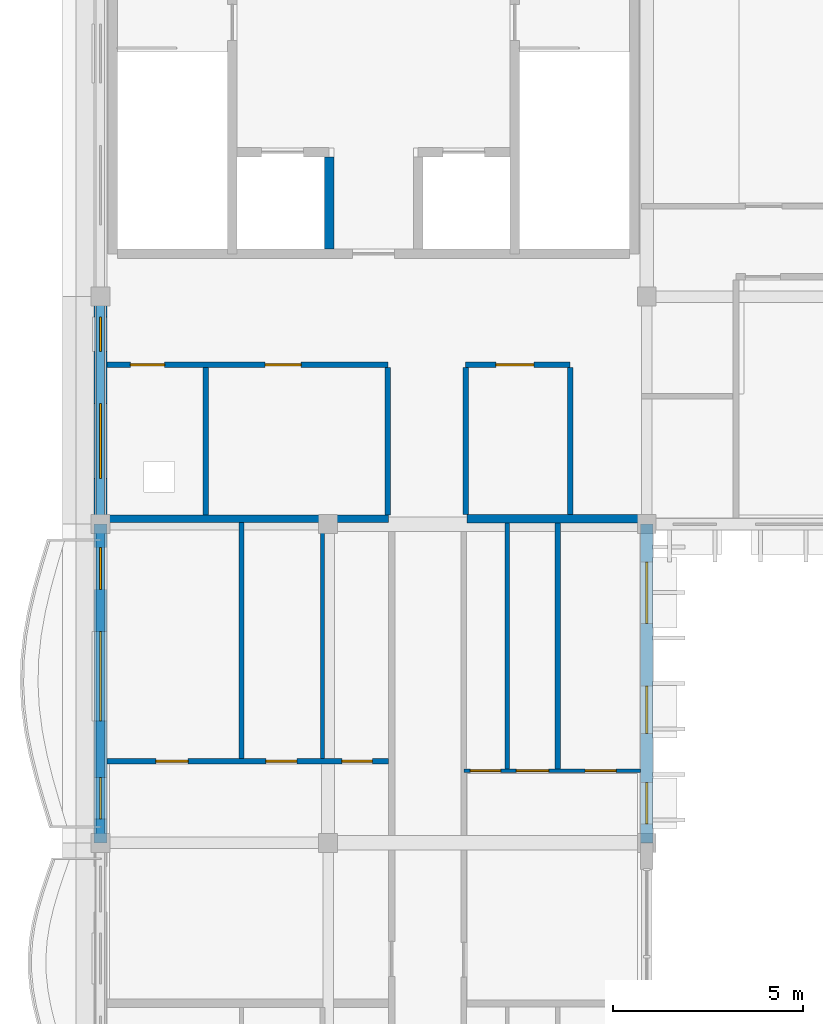
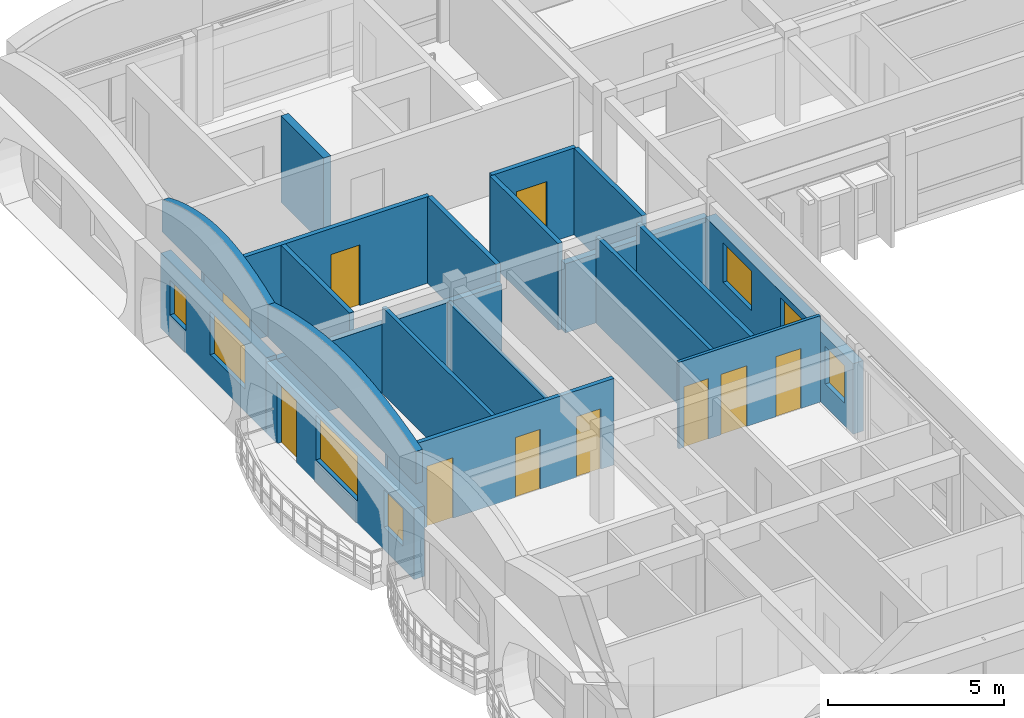
# One storey, part 6 of 12: 20 walls, 10 doors, 7 windows, 17 openings.
"""IFC4 building model written with IfcOpenShell, lengths in metres."""

from ifc_helpers import new_model, si_unit, direction, frame, frame_2d, origin, place, context, subcontext, project, spatial, polyline, rectangle, outline, extrude, material, layer, layer_set, type_object, element, fill, save


model = new_model("IFC4")

# Units and contexts
model_context = context("Model", 3, precision=1e-05, world=origin(), true_north=direction((0.0, 1.0)))
body_context = subcontext(model_context, "Body", "Model", "MODEL_VIEW")
ifc_project = project(units=[si_unit("LENGTHUNIT", "METRE"), si_unit("AREAUNIT", "SQUARE_METRE"), si_unit("VOLUMEUNIT", "CUBIC_METRE"), si_unit("PLANEANGLEUNIT", "RADIAN"), si_unit("MASSUNIT", "GRAM", prefix="KILO"), si_unit("THERMODYNAMICTEMPERATUREUNIT", "KELVIN")], contexts=[model_context])

# Site, building, storey
site_placement = place(None, origin())
site = spatial("IfcSite", under=ifc_project, at=site_placement, CompositionType="ELEMENT")
building_placement = place(site_placement, origin())
building = spatial("IfcBuilding", under=site, at=building_placement, Name="Thalorik Housing Commons", CompositionType="ELEMENT")
storey_placement = place(building_placement, frame((0.0, 0.0, 51.0)))
storey = spatial("IfcBuildingStorey", under=building, at=storey_placement, Name="L15", CompositionType="ELEMENT", Elevation=51.0)

# Wall
ifc_material_1 = material(Name="Concrete C40/50", Category="concrete")
ifc_layer_1 = layer(ifc_material_1, 0.25, Name="Concrete C40/50", Category="concrete")
ifc_layer_set_1 = layer_set([ifc_layer_1], Name="Concrete C40/50")
wall_type_1 = type_object("IfcWallType", Name="ARC-WAL-CORE-250", PredefinedType="SHEAR", material=ifc_layer_set_1)
wall_1_placement = place(storey_placement, frame((14.425048828125, 118.875, 0.0), z_axis=(0.0, 0.0, 1.0), x_axis=(0.0, -1.0, 0.0)))
element("IfcWall", 1, at=wall_1_placement, inside=storey, type_object=wall_type_1, Name="L15 Lift 1 Cheek Wall", PredefinedType="SHEAR", context=body_context, shape_type="SweptSolid", body=[
    extrude(rectangle(XDim=2.425048828125, YDim=0.25, at=frame_2d((1.21240234375, 0.0))), origin(), (0.0, 0.0, 1.0), 3.0),
])

# Wall, openings, windows
ifc_material_2 = material(Name="White precast concrete C40/50", Category="concrete")
ifc_layer_2 = layer(ifc_material_2, 0.3349609375, Name="White precast concrete C40/50", Category="concrete")
ifc_layer_set_2 = layer_set([ifc_layer_2], Name="White precast concrete C40/50")
wall_type_2 = type_object("IfcWallType", Name="ARC-WAL-EXT-335", PredefinedType="STANDARD", material=ifc_layer_set_2)
wall_2_placement = place(storey_placement, frame((8.39990234375, 115.199951171875, 0.0), z_axis=(0.0, 0.0, 1.0), x_axis=(0.0, -1.0, 0.0)))
wall_2 = element("IfcWall", 2, at=wall_2_placement, inside=storey, type_object=wall_type_2, Name="L15 Exterior Wall WAL-EXT-L15-A-0360", PredefinedType="STANDARD", context=body_context, shape_type="SweptSolid", body=[
    extrude(rectangle(XDim=6.0, YDim=0.3349609375, at=frame_2d((3.0, 0.0))), origin(), (0.0, 0.0, 1.0), 2.594970703125),
])
opening_1_placement = place(wall_2_placement, frame((0.544921875, 0.0, 0.780029296875)))
opening_1 = element("IfcOpeningElement", 3, at=opening_1_placement, cuts=wall_2, Name="Opening W-01", PredefinedType="OPENING", context=body_context, shape_type="SweptSolid", body=[
    extrude(rectangle(XDim=0.89990234375, YDim=1.199951171875, at=frame_2d((0.449951171875, 0.60009765625))), frame((0.0, 0.177490234375, 0.0), z_axis=(0.0, -1.0, 0.0), x_axis=(1.0, 0.0, 0.0)), (0.0, 0.0, 1.0), 0.35498046875),
])
opening_2_placement = place(wall_2_placement, frame((2.81494140625, 0.0, 0.780029296875)))
opening_2 = element("IfcOpeningElement", 4, at=opening_2_placement, cuts=wall_2, Name="Opening W-61", PredefinedType="OPENING", context=body_context, shape_type="SweptSolid", body=[
    extrude(rectangle(XDim=1.97998046875, YDim=1.5, at=frame_2d((0.989990234375, 0.75))), frame((0.0, 0.177490234375, 0.0), z_axis=(0.0, -1.0, 0.0), x_axis=(1.0, 0.0, 0.0)), (0.0, 0.0, 1.0), 0.35498046875),
])
ifc_material_3 = material(Name="Anodised aluminium and solar-control low-E glass", Category="aluminium")
window_type_1 = type_object("IfcWindowType", Name="ARC-WIN-01", PartitioningType="SINGLE_PANEL", PredefinedType="WINDOW", material=ifc_material_3)
window_1_placement = place(opening_1_placement, origin())
window_1 = element("IfcWindow", 5, at=window_1_placement, inside=storey, type_object=window_type_1, Name="L15 Facade Window 639", OverallHeight=1.199951171875, OverallWidth=0.89990234375, PartitioningType="SINGLE_PANEL", PredefinedType="WINDOW", context=body_context, shape_type="SweptSolid", body=[
    extrude(rectangle(XDim=0.89990234375, YDim=1.199951171875, at=frame_2d((0.449951171875, 0.60009765625))), frame((0.0, 0.030029296875, 0.0), z_axis=(0.0, -1.0, 0.0), x_axis=(1.0, 0.0, 0.0)), (0.0, 0.0, 1.0), 0.06005859375),
])
fill(opening_1, window_1)
window_type_2 = type_object("IfcWindowType", Name="ARC-WIN-61", PartitioningType="DOUBLE_PANEL_VERTICAL", PredefinedType="WINDOW", material=ifc_material_3)
window_2_placement = place(opening_2_placement, origin())
window_2 = element("IfcWindow", 6, at=window_2_placement, inside=storey, type_object=window_type_2, Name="L15 Facade Window 640", OverallHeight=1.5, OverallWidth=1.97998046875, PartitioningType="DOUBLE_PANEL_VERTICAL", PredefinedType="WINDOW", context=body_context, shape_type="SweptSolid", body=[
    extrude(rectangle(XDim=1.97998046875, YDim=1.5, at=frame_2d((0.989990234375, 0.75))), frame((0.0, 0.030029296875, 0.0), z_axis=(0.0, -1.0, 0.0), x_axis=(1.0, 0.0, 0.0)), (0.0, 0.0, 1.0), 0.06005859375),
])
fill(opening_2, window_2)

# Wall, openings, door, windows
wall_3_placement = place(storey_placement, frame((8.39990234375, 109.199951171875, 0.0), z_axis=(0.0, 0.0, 1.0), x_axis=(0.0, -1.0, 0.0)))
wall_3 = element("IfcWall", 7, at=wall_3_placement, inside=storey, type_object=wall_type_2, Name="L15 Exterior Wall WAL-EXT-L15-A-0361", PredefinedType="STANDARD", context=body_context, shape_type="SweptSolid", body=[
    extrude(rectangle(XDim=8.39990234375, YDim=0.3349609375, at=frame_2d((4.199951171875, 0.0))), origin(), (0.0, 0.0, 1.0), 2.445068359375),
])
opening_3_placement = place(wall_3_placement, frame((0.6201171875, 0.0, 0.0)))
opening_3 = element("IfcOpeningElement", 8, at=opening_3_placement, cuts=wall_3, Name="Opening ED-0113", PredefinedType="OPENING", context=body_context, shape_type="SweptSolid", body=[
    extrude(rectangle(XDim=1.10009765625, YDim=2.14990234375, at=frame_2d((0.550048828125, 1.074951171875))), frame((0.0, 0.177490234375, 0.0), z_axis=(0.0, -1.0, 0.0), x_axis=(1.0, 0.0, 0.0)), (0.0, 0.0, 1.0), 0.35498046875),
])
opening_4_placement = place(wall_3_placement, frame((2.83251953125, 0.0, 0.780029296875)))
opening_4 = element("IfcOpeningElement", 9, at=opening_4_placement, cuts=wall_3, Name="Opening W-33", PredefinedType="OPENING", context=body_context, shape_type="SweptSolid", body=[
    extrude(rectangle(XDim=2.35009765625, YDim=1.550048828125, at=frame_2d((1.175048828125, 0.77490234375))), frame((0.0, 0.177490234375, 0.0), z_axis=(0.0, -1.0, 0.0), x_axis=(1.0, 0.0, 0.0)), (0.0, 0.0, 1.0), 0.35498046875),
])
opening_5_placement = place(wall_3_placement, frame((6.677490234375, 0.0, 0.780029296875)))
opening_5 = element("IfcOpeningElement", 10, at=opening_5_placement, cuts=wall_3, Name="Opening W-03", PredefinedType="OPENING", context=body_context, shape_type="SweptSolid", body=[
    extrude(rectangle(XDim=1.10009765625, YDim=1.300048828125, at=frame_2d((0.550048828125, 0.64990234375))), frame((0.0, 0.177490234375, 0.0), z_axis=(0.0, -1.0, 0.0), x_axis=(1.0, 0.0, 0.0)), (0.0, 0.0, 1.0), 0.35498046875),
])
ifc_material_4 = material(Name="Anodised aluminium and laminated safety glass", Category="aluminium")
door_type_1 = type_object("IfcDoorType", Name="ARC-DR-BAL-1100", OperationType="NOTDEFINED", PredefinedType="DOOR", material=ifc_material_4)
door_1_placement = place(opening_3_placement, frame((1.10009765625, 0.0, 0.0), z_axis=(0.0, 0.0, 1.0), x_axis=(-1.0, 0.0, 0.0)))
door_1 = element("IfcDoor", 11, at=door_1_placement, inside=storey, type_object=door_type_1, Name="L15 Block A Balcony Glazed Door", OperationType="SINGLE_SWING_RIGHT", OverallHeight=2.14990234375, OverallWidth=1.10009765625, PredefinedType="DOOR", context=body_context, shape_type="SweptSolid", body=[
    extrude(rectangle(XDim=1.10009765625, YDim=2.14990234375, at=frame_2d((0.550048828125, 1.074951171875))), frame((0.0, 0.02490234375, 0.0), z_axis=(0.0, -1.0, 0.0), x_axis=(1.0, 0.0, 0.0)), (0.0, 0.0, 1.0), 0.050048828125),
])
fill(opening_3, door_1)
window_type_3 = type_object("IfcWindowType", Name="ARC-WIN-03", PartitioningType="SINGLE_PANEL", PredefinedType="WINDOW", material=ifc_material_3)
window_3_placement = place(opening_5_placement, origin())
window_3 = element("IfcWindow", 12, at=window_3_placement, inside=storey, type_object=window_type_3, Name="L15 Facade Window 642", OverallHeight=1.300048828125, OverallWidth=1.10009765625, PartitioningType="SINGLE_PANEL", PredefinedType="WINDOW", context=body_context, shape_type="SweptSolid", body=[
    extrude(rectangle(XDim=1.10009765625, YDim=1.300048828125, at=frame_2d((0.550048828125, 0.64990234375))), frame((0.0, 0.030029296875, 0.0), z_axis=(0.0, -1.0, 0.0), x_axis=(1.0, 0.0, 0.0)), (0.0, 0.0, 1.0), 0.06005859375),
])
fill(opening_5, window_3)
window_type_4 = type_object("IfcWindowType", Name="ARC-WIN-33", PartitioningType="DOUBLE_PANEL_VERTICAL", PredefinedType="WINDOW", material=ifc_material_3)
window_4_placement = place(opening_4_placement, origin())
window_4 = element("IfcWindow", 13, at=window_4_placement, inside=storey, type_object=window_type_4, Name="L15 Facade Window 641", OverallHeight=1.550048828125, OverallWidth=2.35009765625, PartitioningType="DOUBLE_PANEL_VERTICAL", PredefinedType="WINDOW", context=body_context, shape_type="SweptSolid", body=[
    extrude(rectangle(XDim=2.35009765625, YDim=1.550048828125, at=frame_2d((1.175048828125, 0.77490234375))), frame((0.0, 0.030029296875, 0.0), z_axis=(0.0, -1.0, 0.0), x_axis=(1.0, 0.0, 0.0)), (0.0, 0.0, 1.0), 0.06005859375),
])
fill(opening_4, window_4)

# Wall, openings, windows
wall_4_placement = place(storey_placement, frame((22.800048828125, 100.800048828125, 0.0), z_axis=(0.0, 0.0, 1.0), x_axis=(0.0, 1.0, 0.0)))
wall_4 = element("IfcWall", 14, at=wall_4_placement, inside=storey, type_object=wall_type_2, Name="L15 Exterior Wall WAL-EXT-L15-A-0368", PredefinedType="STANDARD", context=body_context, shape_type="SweptSolid", body=[
    extrude(rectangle(XDim=8.39990234375, YDim=0.3349609375, at=frame_2d((4.199951171875, 0.0))), origin(), (0.0, 0.0, 1.0), 2.445068359375),
])
opening_6_placement = place(wall_4_placement, frame((0.494873046875, 0.0, 0.780029296875)))
opening_6 = element("IfcOpeningElement", 15, at=opening_6_placement, cuts=wall_4, Name="Opening W-03", PredefinedType="OPENING", context=body_context, shape_type="SweptSolid", body=[
    extrude(rectangle(XDim=1.10009765625, YDim=1.300048828125, at=frame_2d((0.550048828125, 0.64990234375))), frame((0.0, 0.177490234375, 0.0), z_axis=(0.0, -1.0, 0.0), x_axis=(1.0, 0.0, 0.0)), (0.0, 0.0, 1.0), 0.35498046875),
])
opening_7_placement = place(wall_4_placement, frame((2.88720703125, 0.0, 0.780029296875)))
opening_7 = element("IfcOpeningElement", 16, at=opening_7_placement, cuts=wall_4, Name="Opening W-47", PredefinedType="OPENING", context=body_context, shape_type="SweptSolid", body=[
    extrude(rectangle(XDim=1.25, YDim=1.449951171875, at=frame_2d((0.625, 0.72509765625))), frame((0.0, 0.177490234375, 0.0), z_axis=(0.0, -1.0, 0.0), x_axis=(1.0, 0.0, 0.0)), (0.0, 0.0, 1.0), 0.35498046875),
])
opening_8_placement = place(wall_4_placement, frame((5.787353515625, 0.0, 0.780029296875)))
opening_8 = element("IfcOpeningElement", 17, at=opening_8_placement, cuts=wall_4, Name="Opening W-54", PredefinedType="OPENING", context=body_context, shape_type="SweptSolid", body=[
    extrude(rectangle(XDim=1.6201171875, YDim=1.3798828125, at=frame_2d((0.81005859375, 0.68994140625))), frame((0.0, 0.177490234375, 0.0), z_axis=(0.0, -1.0, 0.0), x_axis=(1.0, 0.0, 0.0)), (0.0, 0.0, 1.0), 0.35498046875),
])
window_5_placement = place(opening_6_placement, origin())
window_5 = element("IfcWindow", 18, at=window_5_placement, inside=storey, type_object=window_type_3, Name="L15 Facade Window 652", OverallHeight=1.300048828125, OverallWidth=1.10009765625, PartitioningType="SINGLE_PANEL", PredefinedType="WINDOW", context=body_context, shape_type="SweptSolid", body=[
    extrude(rectangle(XDim=1.10009765625, YDim=1.300048828125, at=frame_2d((0.550048828125, 0.64990234375))), frame((0.0, 0.030029296875, 0.0), z_axis=(0.0, -1.0, 0.0), x_axis=(1.0, 0.0, 0.0)), (0.0, 0.0, 1.0), 0.06005859375),
])
fill(opening_6, window_5)
window_type_5 = type_object("IfcWindowType", Name="ARC-WIN-47", PartitioningType="SINGLE_PANEL", PredefinedType="WINDOW", material=ifc_material_3)
window_6_placement = place(opening_7_placement, origin())
window_6 = element("IfcWindow", 19, at=window_6_placement, inside=storey, type_object=window_type_5, Name="L15 Facade Window 653", OverallHeight=1.449951171875, OverallWidth=1.25, PartitioningType="SINGLE_PANEL", PredefinedType="WINDOW", context=body_context, shape_type="SweptSolid", body=[
    extrude(rectangle(XDim=1.25, YDim=1.449951171875, at=frame_2d((0.625, 0.72509765625))), frame((0.0, 0.030029296875, 0.0), z_axis=(0.0, -1.0, 0.0), x_axis=(1.0, 0.0, 0.0)), (0.0, 0.0, 1.0), 0.06005859375),
])
fill(opening_7, window_6)
window_type_6 = type_object("IfcWindowType", Name="ARC-WIN-54", PartitioningType="DOUBLE_PANEL_VERTICAL", PredefinedType="WINDOW", material=ifc_material_3)
window_7_placement = place(opening_8_placement, origin())
window_7 = element("IfcWindow", 20, at=window_7_placement, inside=storey, type_object=window_type_6, Name="L15 Facade Window 654", OverallHeight=1.3798828125, OverallWidth=1.6201171875, PartitioningType="DOUBLE_PANEL_VERTICAL", PredefinedType="WINDOW", context=body_context, shape_type="SweptSolid", body=[
    extrude(rectangle(XDim=1.6201171875, YDim=1.3798828125, at=frame_2d((0.81005859375, 0.68994140625))), frame((0.0, 0.030029296875, 0.0), z_axis=(0.0, -1.0, 0.0), x_axis=(1.0, 0.0, 0.0)), (0.0, 0.0, 1.0), 0.06005859375),
])
fill(opening_8, window_7)

# Walls
ifc_layer_3 = layer(ifc_material_2, 0.22509765625, Name="White precast concrete C40/50", Category="concrete")
ifc_layer_set_3 = layer_set([ifc_layer_3], Name="White precast concrete C40/50")
wall_type_3 = type_object("IfcWallType", Name="ARC-WAL-PAR-225", PredefinedType="PARAPET", material=ifc_layer_set_3)
wall_5_placement = place(storey_placement, frame((8.39990234375, 115.199951171875, 3.300048828125), z_axis=(0.0, 0.0, 1.0), x_axis=(0.0, -1.0, 0.0)))
element("IfcWall", 21, at=wall_5_placement, inside=storey, type_object=wall_type_3, Name="L15 Block A Scalloped Arched Roof Parapet 8", PredefinedType="PARAPET", context=body_context, shape_type="SweptSolid", body=[
    extrude(outline(polyline([(0.0, 0.0), (6.0, 0.0), (6.0, 1.119873046875), (5.5, 1.321533203125), (5.0, 1.484375), (4.5, 1.61767578125), (4.0, 1.71728515625), (3.5, 1.779052734375), (3.0, 1.800048828125), (2.5, 1.779052734375), (2.0, 1.71728515625), (1.5, 1.61767578125), (1.0, 1.484375), (0.5, 1.321533203125), (0.0, 1.119873046875), (0.0, 0.0)])), frame((0.0, 0.112548828125, 0.0), z_axis=(0.0, -1.0, 0.0), x_axis=(1.0, 0.0, 0.0)), (0.0, 0.0, 1.0), 0.22509765625),
])
wall_6_placement = place(storey_placement, frame((8.39990234375, 109.199951171875, 3.300048828125), z_axis=(0.0, 0.0, 1.0), x_axis=(0.0, -1.0, 0.0)))
element("IfcWall", 22, at=wall_6_placement, inside=storey, type_object=wall_type_3, Name="L15 Block A Scalloped Arched Roof Parapet 9", PredefinedType="PARAPET", context=body_context, shape_type="SweptSolid", body=[
    extrude(outline(polyline([(0.0, 0.0), (8.39990234375, 0.0), (8.39990234375, 1.119873046875), (7.699951171875, 1.321533203125), (7.0, 1.484375), (6.300048828125, 1.61767578125), (5.60009765625, 1.71728515625), (4.89990234375, 1.779052734375), (4.199951171875, 1.800048828125), (3.5, 1.779052734375), (2.800048828125, 1.71728515625), (2.10009765625, 1.61767578125), (1.39990234375, 1.484375), (0.699951171875, 1.321533203125), (0.0, 1.119873046875), (0.0, 0.0)])), frame((0.0, 0.112548828125, 0.0), z_axis=(0.0, -1.0, 0.0), x_axis=(1.0, 0.0, 0.0)), (0.0, 0.0, 1.0), 0.22509765625),
])

# Wall, openings, doors
ifc_material_5 = material(Name="Gypsum light stud partition", Category="masonry")
ifc_layer_4 = layer(ifc_material_5, 0.10009765625, Name="Gypsum light stud partition", Category="masonry")
ifc_layer_set_4 = layer_set([ifc_layer_4], Name="Gypsum light stud partition")
wall_type_4 = type_object("IfcWallType", Name="ARC-WAL-PART-100", PredefinedType="PARTITIONING", material=ifc_layer_set_4)
wall_7_placement = place(storey_placement, frame((17.97998046875, 102.69970703125, 0.0), z_axis=(0.0, 0.0, 1.0), x_axis=(1.0, 0.0, 0.0)))
wall_7 = element("IfcWall", 23, at=wall_7_placement, inside=storey, type_object=wall_type_4, Name="L15 Unit 2B Spine Partition", PredefinedType="PARTITIONING", context=body_context, shape_type="SweptSolid", body=[
    extrude(rectangle(XDim=4.650634765625, YDim=0.10009765625, at=frame_2d((2.3251953125, 0.0))), origin(), (0.0, 0.0, 1.0), 3.0),
])
opening_9_placement = place(wall_7_placement, frame((0.171142578125, 0.0, 0.0)))
opening_9 = element("IfcOpeningElement", 24, at=opening_9_placement, cuts=wall_7, Name="Opening ID-0990", PredefinedType="OPENING", context=body_context, shape_type="SweptSolid", body=[
    extrude(rectangle(XDim=0.800048828125, YDim=2.10009765625, at=frame_2d((0.39990234375, 1.050048828125))), frame((0.0, 0.06005859375, 0.0), z_axis=(0.0, -1.0, 0.0), x_axis=(1.0, 0.0, 0.0)), (0.0, 0.0, 1.0), 0.1201171875),
])
opening_10_placement = place(wall_7_placement, frame((1.3837890625, 0.0, 0.0)))
opening_10 = element("IfcOpeningElement", 25, at=opening_10_placement, cuts=wall_7, Name="Opening ID-0991", PredefinedType="OPENING", context=body_context, shape_type="SweptSolid", body=[
    extrude(rectangle(XDim=0.85009765625, YDim=2.10009765625, at=frame_2d((0.425048828125, 1.050048828125))), frame((0.0, 0.06005859375, 0.0), z_axis=(0.0, -1.0, 0.0), x_axis=(1.0, 0.0, 0.0)), (0.0, 0.0, 1.0), 0.1201171875),
])
opening_11_placement = place(wall_7_placement, frame((3.192626953125, 0.0, 0.0)))
opening_11 = element("IfcOpeningElement", 26, at=opening_11_placement, cuts=wall_7, Name="Opening ID-0992", PredefinedType="OPENING", context=body_context, shape_type="SweptSolid", body=[
    extrude(rectangle(XDim=0.820068359375, YDim=2.080078125, at=frame_2d((0.41015625, 1.0400390625))), frame((0.0, 0.06005859375, 0.0), z_axis=(0.0, -1.0, 0.0), x_axis=(1.0, 0.0, 0.0)), (0.0, 0.0, 1.0), 0.1201171875),
])
ifc_material_6 = material(Name="Moisture-resistant timber", Category="wood")
door_type_2 = type_object("IfcDoorType", Name="ARC-DR-INT-800", OperationType="NOTDEFINED", PredefinedType="DOOR", material=ifc_material_6)
door_2_placement = place(opening_9_placement, origin())
door_2 = element("IfcDoor", 27, at=door_2_placement, inside=storey, type_object=door_type_2, Name="L15 Flat Bathroom Door", OperationType="SINGLE_SWING_LEFT", OverallHeight=2.10009765625, OverallWidth=0.800048828125, PredefinedType="DOOR", context=body_context, shape_type="SweptSolid", body=[
    extrude(rectangle(XDim=0.800048828125, YDim=2.10009765625, at=frame_2d((0.39990234375, 1.050048828125))), frame((0.0, 0.02490234375, 0.0), z_axis=(0.0, -1.0, 0.0), x_axis=(1.0, 0.0, 0.0)), (0.0, 0.0, 1.0), 0.050048828125),
])
fill(opening_9, door_2)
ifc_material_7 = material(Name="Engineered oak timber", Category="wood")
door_type_3 = type_object("IfcDoorType", Name="ARC-DR-INT-820", OperationType="NOTDEFINED", PredefinedType="DOOR", material=ifc_material_7)
door_3_placement = place(opening_11_placement, origin())
door_3 = element("IfcDoor", 28, at=door_3_placement, inside=storey, type_object=door_type_3, Name="L15 Double Bedroom Door", OperationType="SINGLE_SWING_LEFT", OverallHeight=2.080078125, OverallWidth=0.820068359375, PredefinedType="DOOR", context=body_context, shape_type="SweptSolid", body=[
    extrude(rectangle(XDim=0.820068359375, YDim=2.080078125, at=frame_2d((0.41015625, 1.0400390625))), frame((0.0, 0.02490234375, 0.0), z_axis=(0.0, -1.0, 0.0), x_axis=(1.0, 0.0, 0.0)), (0.0, 0.0, 1.0), 0.050048828125),
])
fill(opening_11, door_3)
door_type_4 = type_object("IfcDoorType", Name="ARC-DR-INT-850", OperationType="NOTDEFINED", PredefinedType="DOOR", material=ifc_material_7)
door_4_placement = place(opening_10_placement, origin())
door_4 = element("IfcDoor", 29, at=door_4_placement, inside=storey, type_object=door_type_4, Name="L15 Galley Kitchen Door", OperationType="SINGLE_SWING_RIGHT", OverallHeight=2.10009765625, OverallWidth=0.85009765625, PredefinedType="DOOR", context=body_context, shape_type="SweptSolid", body=[
    extrude(rectangle(XDim=0.85009765625, YDim=2.10009765625, at=frame_2d((0.425048828125, 1.050048828125))), frame((0.0, 0.02490234375, 0.0), z_axis=(0.0, -1.0, 0.0), x_axis=(1.0, 0.0, 0.0)), (0.0, 0.0, 1.0), 0.050048828125),
])
fill(opening_10, door_4)

# Walls
ifc_material_8 = material(Name="Gypsum moisture-resistant partition", Category="masonry")
ifc_layer_5 = layer(ifc_material_8, 0.114990234375, Name="Gypsum moisture-resistant partition", Category="masonry")
ifc_layer_set_5 = layer_set([ifc_layer_5], Name="Gypsum moisture-resistant partition")
wall_type_5 = type_object("IfcWallType", Name="ARC-WAL-PART-115", PredefinedType="PARTITIONING", material=ifc_layer_set_5)
wall_8_placement = place(storey_placement, frame((14.251220703125, 103.027099609375, 0.0), z_axis=(0.0, 0.0, 1.0), x_axis=(0.0, 1.0, 0.0)))
element("IfcWall", 30, at=wall_8_placement, inside=storey, type_object=wall_type_5, Name="L15 Unit 2 Wet Wall", PredefinedType="PARTITIONING", context=body_context, shape_type="SweptSolid", body=[
    extrude(rectangle(XDim=6.2109375, YDim=0.114990234375, at=frame_2d((3.10546875, 0.0))), origin(), (0.0, 0.0, 1.0), 2.445068359375),
])
ifc_material_9 = material(Name="Gypsum acoustic stud partition", Category="masonry")
ifc_layer_6 = layer(ifc_material_9, 0.125, Name="Gypsum acoustic stud partition", Category="masonry")
ifc_layer_set_6 = layer_set([ifc_layer_6], Name="Gypsum acoustic stud partition")
wall_type_6 = type_object("IfcWallType", Name="ARC-WAL-PART-125", PredefinedType="PARTITIONING", material=ifc_layer_set_6)
wall_9_placement = place(storey_placement, frame((12.11767578125, 103.027099609375, 0.0), z_axis=(0.0, 0.0, 1.0), x_axis=(0.0, 1.0, 0.0)))
element("IfcWall", 31, at=wall_9_placement, inside=storey, type_object=wall_type_6, Name="L15 Unit 2 Bedroom Partition", PredefinedType="PARTITIONING", context=body_context, shape_type="SweptSolid", body=[
    extrude(rectangle(XDim=6.2109375, YDim=0.125, at=frame_2d((3.10546875, 0.0))), origin(), (0.0, 0.0, 1.0), 3.0),
])
wall_10_placement = place(storey_placement, frame((19.122314453125, 102.751708984375, 0.0), z_axis=(0.0, 0.0, 1.0), x_axis=(0.0, 1.0, 0.0)))
element("IfcWall", 32, at=wall_10_placement, inside=storey, type_object=wall_type_6, Name="L15 Unit 2B Wet Wall", PredefinedType="PARTITIONING", context=body_context, shape_type="SweptSolid", body=[
    extrude(rectangle(XDim=6.476318359375, YDim=0.125, at=frame_2d((3.23828125, 0.0))), origin(), (0.0, 0.0, 1.0), 3.0),
])

# Wall, openings, doors
ifc_material_10 = material(Name="Ceramic masonry partition wall", Category="masonry")
ifc_layer_7 = layer(ifc_material_10, 0.139892578125, Name="Ceramic masonry partition wall", Category="masonry")
ifc_layer_set_7 = layer_set([ifc_layer_7], Name="Ceramic masonry partition wall")
wall_type_7 = type_object("IfcWallType", Name="ARC-WAL-PART-140", PredefinedType="PARTITIONING", material=ifc_layer_set_7)
wall_11_placement = place(storey_placement, frame((8.569580078125, 102.955078125, 0.0), z_axis=(0.0, 0.0, 1.0), x_axis=(1.0, 0.0, 0.0)))
wall_11 = element("IfcWall", 33, at=wall_11_placement, inside=storey, type_object=wall_type_7, Name="L15 Unit 2 Spine Partition", PredefinedType="PARTITIONING", context=body_context, shape_type="SweptSolid", body=[
    extrude(rectangle(XDim=7.426025390625, YDim=0.139892578125, at=frame_2d((3.712890625, 0.0))), origin(), (0.0, 0.0, 1.0), 3.0),
])
opening_12_placement = place(wall_11_placement, frame((1.294189453125, 0.0, 0.0)))
opening_12 = element("IfcOpeningElement", 34, at=opening_12_placement, cuts=wall_11, Name="Opening ID-0987", PredefinedType="OPENING", context=body_context, shape_type="SweptSolid", body=[
    extrude(rectangle(XDim=0.85009765625, YDim=2.10009765625, at=frame_2d((0.425048828125, 1.050048828125))), frame((0.0, 0.080078125, 0.0), z_axis=(0.0, -1.0, 0.0), x_axis=(1.0, 0.0, 0.0)), (0.0, 0.0, 1.0), 0.159912109375),
])
opening_13_placement = place(wall_11_placement, frame((4.18994140625, 0.0, 0.0)))
opening_13 = element("IfcOpeningElement", 35, at=opening_13_placement, cuts=wall_11, Name="Opening ID-0988", PredefinedType="OPENING", context=body_context, shape_type="SweptSolid", body=[
    extrude(rectangle(XDim=0.820068359375, YDim=2.080078125, at=frame_2d((0.41015625, 1.0400390625))), frame((0.0, 0.080078125, 0.0), z_axis=(0.0, -1.0, 0.0), x_axis=(1.0, 0.0, 0.0)), (0.0, 0.0, 1.0), 0.159912109375),
])
opening_14_placement = place(wall_11_placement, frame((6.196044921875, 0.0, 0.0)))
opening_14 = element("IfcOpeningElement", 36, at=opening_14_placement, cuts=wall_11, Name="Opening ID-0989", PredefinedType="OPENING", context=body_context, shape_type="SweptSolid", body=[
    extrude(rectangle(XDim=0.800048828125, YDim=2.10009765625, at=frame_2d((0.39990234375, 1.050048828125))), frame((0.0, 0.080078125, 0.0), z_axis=(0.0, -1.0, 0.0), x_axis=(1.0, 0.0, 0.0)), (0.0, 0.0, 1.0), 0.159912109375),
])
door_5_placement = place(opening_14_placement, origin())
door_5 = element("IfcDoor", 37, at=door_5_placement, inside=storey, type_object=door_type_2, Name="L15 Accessible Bathroom Door", OperationType="SINGLE_SWING_RIGHT", OverallHeight=2.10009765625, OverallWidth=0.800048828125, PredefinedType="DOOR", context=body_context, shape_type="SweptSolid", body=[
    extrude(rectangle(XDim=0.800048828125, YDim=2.10009765625, at=frame_2d((0.39990234375, 1.050048828125))), frame((0.0, 0.02490234375, 0.0), z_axis=(0.0, -1.0, 0.0), x_axis=(1.0, 0.0, 0.0)), (0.0, 0.0, 1.0), 0.050048828125),
])
fill(opening_14, door_5)
door_6_placement = place(opening_13_placement, origin())
door_6 = element("IfcDoor", 38, at=door_6_placement, inside=storey, type_object=door_type_3, Name="L15 Eat-In Kitchen Door", OperationType="SINGLE_SWING_LEFT", OverallHeight=2.080078125, OverallWidth=0.820068359375, PredefinedType="DOOR", context=body_context, shape_type="SweptSolid", body=[
    extrude(rectangle(XDim=0.820068359375, YDim=2.080078125, at=frame_2d((0.41015625, 1.0400390625))), frame((0.0, 0.02490234375, 0.0), z_axis=(0.0, -1.0, 0.0), x_axis=(1.0, 0.0, 0.0)), (0.0, 0.0, 1.0), 0.050048828125),
])
fill(opening_13, door_6)
door_7_placement = place(opening_12_placement, origin())
door_7 = element("IfcDoor", 39, at=door_7_placement, inside=storey, type_object=door_type_4, Name="L15 Double Bedroom Door", OperationType="SINGLE_SWING_RIGHT", OverallHeight=2.10009765625, OverallWidth=0.85009765625, PredefinedType="DOOR", context=body_context, shape_type="SweptSolid", body=[
    extrude(rectangle(XDim=0.85009765625, YDim=2.10009765625, at=frame_2d((0.425048828125, 1.050048828125))), frame((0.0, 0.02490234375, 0.0), z_axis=(0.0, -1.0, 0.0), x_axis=(1.0, 0.0, 0.0)), (0.0, 0.0, 1.0), 0.050048828125),
])
fill(opening_12, door_7)

# Walls
wall_12_placement = place(storey_placement, frame((20.455078125, 102.751708984375, 0.0), z_axis=(0.0, 0.0, 1.0), x_axis=(0.0, 1.0, 0.0)))
element("IfcWall", 40, at=wall_12_placement, inside=storey, type_object=wall_type_7, Name="L15 Unit 2B Bedroom Partition", PredefinedType="PARTITIONING", context=body_context, shape_type="SweptSolid", body=[
    extrude(rectangle(XDim=6.476318359375, YDim=0.139892578125, at=frame_2d((3.23828125, 0.0))), origin(), (0.0, 0.0, 1.0), 3.0),
])
ifc_layer_8 = layer(ifc_material_10, 0.14794921875, Name="Ceramic masonry partition wall", Category="masonry")
ifc_layer_set_8 = layer_set([ifc_layer_8], Name="Ceramic masonry partition wall")
wall_type_8 = type_object("IfcWallType", Name="ARC-WAL-PART-150", PredefinedType="PARTITIONING", material=ifc_layer_set_8)
for number, where, z_axis, x_axis, name in (
    (41, (11.175048828125, 113.323974609375, 0.0), (0.0, 0.0, 1.0), (0.0, -1.0, 0.0), "Riser Wall"),
    (42, (15.97509765625, 113.323974609375, 0.0), (0.0, 0.0, 1.0), (0.0, -1.0, 0.0), "Core Stem West Cheek Wall"),
):
    element("IfcWall", number, at=place(storey_placement, frame(where, z_axis=z_axis, x_axis=x_axis)), inside=storey, type_object=wall_type_8, Name=name, PredefinedType="PARTITIONING", context=body_context, shape_type="SweptSolid", body=[
        extrude(rectangle(XDim=3.882080078125, YDim=0.14794921875, at=frame_2d((1.94091796875, 0.0))), origin(), (0.0, 0.0, 1.0), 3.0),
    ])
for number, where, z_axis, x_axis, name in (
    (43, (18.02490234375, 113.323974609375, 0.0), (0.0, 0.0, 1.0), (0.0, -1.0, 0.0), "Core Stem East Cheek Wall"),
    (44, (20.780029296875, 113.323974609375, 0.0), (0.0, 0.0, 1.0), (0.0, -1.0, 0.0), "Core East Enclosing Wall"),
):
    element("IfcWall", number, at=place(storey_placement, frame(where, z_axis=z_axis, x_axis=x_axis)), inside=storey, type_object=wall_type_8, Name=name, PredefinedType="PARTITIONING", context=body_context, shape_type="SweptSolid", body=[
        extrude(rectangle(XDim=3.8720703125, YDim=0.14794921875, at=frame_2d((1.93603515625, 0.0))), origin(), (0.0, 0.0, 1.0), 3.0),
    ])

# Wall, openings, doors
wall_13_placement = place(storey_placement, frame((8.569580078125, 113.39990234375, 0.0), z_axis=(0.0, 0.0, 1.0), x_axis=(1.0, 0.0, 0.0)))
wall_13 = element("IfcWall", 45, at=wall_13_placement, inside=storey, type_object=wall_type_8, Name="L15 Core A West Corridor Partition", PredefinedType="PARTITIONING", context=body_context, shape_type="SweptSolid", body=[
    extrude(rectangle(XDim=7.405517578125, YDim=0.14794921875, at=frame_2d((3.70263671875, 0.0))), origin(), (0.0, 0.0, 1.0), 3.0),
])
opening_15_placement = place(wall_13_placement, frame((0.62060546875, 0.0, 0.0)))
opening_15 = element("IfcOpeningElement", 46, at=opening_15_placement, cuts=wall_13, Name="Opening ID-0134", PredefinedType="OPENING", context=body_context, shape_type="SweptSolid", body=[
    extrude(rectangle(XDim=0.89990234375, YDim=2.10009765625, at=frame_2d((0.449951171875, 1.050048828125))), frame((0.0, 0.083984375, 0.0), z_axis=(0.0, -1.0, 0.0), x_axis=(1.0, 0.0, 0.0)), (0.0, 0.0, 1.0), 0.16796875),
])
opening_16_placement = place(wall_13_placement, frame((4.17041015625, 0.0, 0.0)))
opening_16 = element("IfcOpeningElement", 47, at=opening_16_placement, cuts=wall_13, Name="Opening ID-0135", PredefinedType="OPENING", context=body_context, shape_type="SweptSolid", body=[
    extrude(rectangle(XDim=0.949951171875, YDim=2.10009765625, at=frame_2d((0.47509765625, 1.050048828125))), frame((0.0, 0.083984375, 0.0), z_axis=(0.0, -1.0, 0.0), x_axis=(1.0, 0.0, 0.0)), (0.0, 0.0, 1.0), 0.16796875),
])
ifc_material_11 = material(Name="Steel S355", Category="steel")
door_type_5 = type_object("IfcDoorType", Name="ARC-DR-FD60-900", OperationType="NOTDEFINED", PredefinedType="DOOR", material=ifc_material_11)
door_8_placement = place(opening_15_placement, origin())
door_8 = element("IfcDoor", 48, at=door_8_placement, inside=storey, type_object=door_type_5, Name="Electrical Riser Door", OperationType="SINGLE_SWING_LEFT", OverallHeight=2.10009765625, OverallWidth=0.89990234375, PredefinedType="DOOR", context=body_context, shape_type="SweptSolid", body=[
    extrude(rectangle(XDim=0.89990234375, YDim=2.10009765625, at=frame_2d((0.449951171875, 1.050048828125))), frame((0.0, 0.02490234375, 0.0), z_axis=(0.0, -1.0, 0.0), x_axis=(1.0, 0.0, 0.0)), (0.0, 0.0, 1.0), 0.050048828125),
])
fill(opening_15, door_8)
door_type_6 = type_object("IfcDoorType", Name="ARC-DR-INT-950", OperationType="NOTDEFINED", PredefinedType="DOOR", material=ifc_material_7)
door_9_placement = place(opening_16_placement, origin())
door_9 = element("IfcDoor", 49, at=door_9_placement, inside=storey, type_object=door_type_6, Name="Accessible Bathroom Door", OperationType="SINGLE_SWING_RIGHT", OverallHeight=2.10009765625, OverallWidth=0.949951171875, PredefinedType="DOOR", context=body_context, shape_type="SweptSolid", body=[
    extrude(rectangle(XDim=0.949951171875, YDim=2.10009765625, at=frame_2d((0.47509765625, 1.050048828125))), frame((0.0, 0.02490234375, 0.0), z_axis=(0.0, -1.0, 0.0), x_axis=(1.0, 0.0, 0.0)), (0.0, 0.0, 1.0), 0.050048828125),
])
fill(opening_16, door_9)

# Wall, opening, door
wall_14_placement = place(storey_placement, frame((18.02490234375, 113.39990234375, 0.0), z_axis=(0.0, 0.0, 1.0), x_axis=(1.0, 0.0, 0.0)))
wall_14 = element("IfcWall", 50, at=wall_14_placement, inside=storey, type_object=wall_type_8, Name="L15 Core A East Corridor Partition", PredefinedType="PARTITIONING", context=body_context, shape_type="SweptSolid", body=[
    extrude(rectangle(XDim=2.755126953125, YDim=0.14794921875, at=frame_2d((1.37744140625, 0.0))), origin(), (0.0, 0.0, 1.0), 3.0),
])
opening_17_placement = place(wall_14_placement, frame((0.800048828125, 0.0, 0.0)))
opening_17 = element("IfcOpeningElement", 51, at=opening_17_placement, cuts=wall_14, Name="Opening ID-0136", PredefinedType="OPENING", context=body_context, shape_type="SweptSolid", body=[
    extrude(rectangle(XDim=1.0, YDim=2.14990234375, at=frame_2d((0.5, 1.074951171875))), frame((0.0, 0.083984375, 0.0), z_axis=(0.0, -1.0, 0.0), x_axis=(1.0, 0.0, 0.0)), (0.0, 0.0, 1.0), 0.16796875),
])
door_type_7 = type_object("IfcDoorType", Name="ARC-DR-FD60-1000", OperationType="NOTDEFINED", PredefinedType="DOOR", material=ifc_material_11)
door_10_placement = place(opening_17_placement, origin())
door_10 = element("IfcDoor", 52, at=door_10_placement, inside=storey, type_object=door_type_7, Name="Core Hub Room Door", OperationType="SINGLE_SWING_LEFT", OverallHeight=2.14990234375, OverallWidth=1.0, PredefinedType="DOOR", context=body_context, shape_type="SweptSolid", body=[
    extrude(rectangle(XDim=1.0, YDim=2.14990234375, at=frame_2d((0.5, 1.074951171875))), frame((0.0, 0.02490234375, 0.0), z_axis=(0.0, -1.0, 0.0), x_axis=(1.0, 0.0, 0.0)), (0.0, 0.0, 1.0), 0.050048828125),
])
fill(opening_17, door_10)

# Walls
ifc_material_12 = material(Name="Precast concrete C40/50 acoustic wall", Category="concrete")
ifc_layer_9 = layer(ifc_material_12, 0.199951171875, Name="Precast concrete C40/50 acoustic wall", Category="concrete")
ifc_layer_set_9 = layer_set([ifc_layer_9], Name="Precast concrete C40/50 acoustic wall")
wall_type_9 = type_object("IfcWallType", Name="ARC-WAL-PARTY-200", PredefinedType="PARTITIONING", material=ifc_layer_set_9)
wall_15_placement = place(storey_placement, frame((8.569580078125, 109.340087890625, 0.0), z_axis=(0.0, 0.0, 1.0), x_axis=(1.0, 0.0, 0.0)))
element("IfcWall", 53, at=wall_15_placement, inside=storey, type_object=wall_type_9, Name="L15 Core End Wall A", PredefinedType="PARTITIONING", context=body_context, shape_type="SweptSolid", body=[
    extrude(rectangle(XDim=7.426025390625, YDim=0.199951171875, at=frame_2d((3.712890625, 0.0))), origin(), (0.0, 0.0, 1.0), 2.39501953125),
])
ifc_layer_10 = layer(ifc_material_12, 0.219970703125, Name="Precast concrete C40/50 acoustic wall", Category="concrete")
ifc_layer_set_10 = layer_set([ifc_layer_10], Name="Precast concrete C40/50 acoustic wall")
wall_type_10 = type_object("IfcWallType", Name="ARC-WAL-PARTY-220", PredefinedType="PARTITIONING", material=ifc_layer_set_10)
wall_16_placement = place(storey_placement, frame((18.056884765625, 109.340087890625, 0.0), z_axis=(0.0, 0.0, 1.0), x_axis=(1.0, 0.0, 0.0)))
element("IfcWall", 54, at=wall_16_placement, inside=storey, type_object=wall_type_10, Name="L15 Core End Wall B", PredefinedType="PARTITIONING", context=body_context, shape_type="SweptSolid", body=[
    extrude(rectangle(XDim=4.68310546875, YDim=0.219970703125, at=frame_2d((2.341552734375, 0.0))), origin(), (0.0, 0.0, 1.0), 2.39501953125),
])

save(model, "model.ifc")
